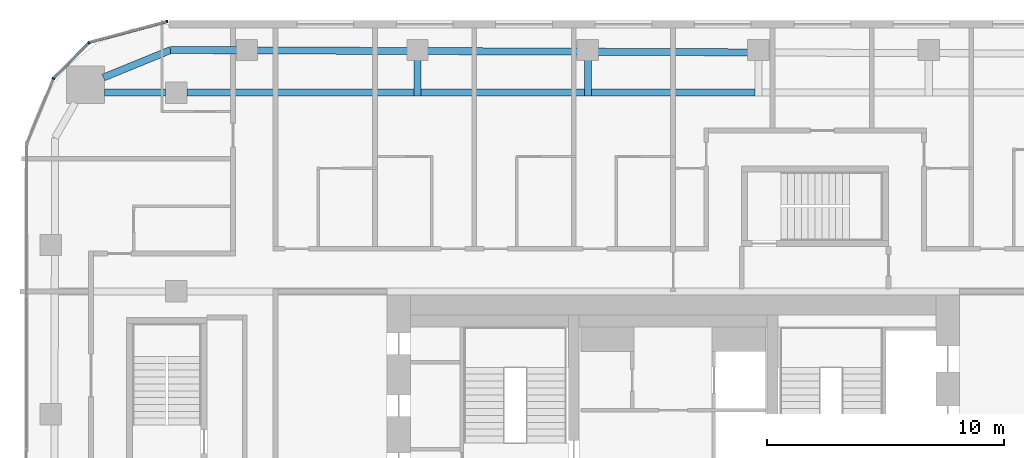
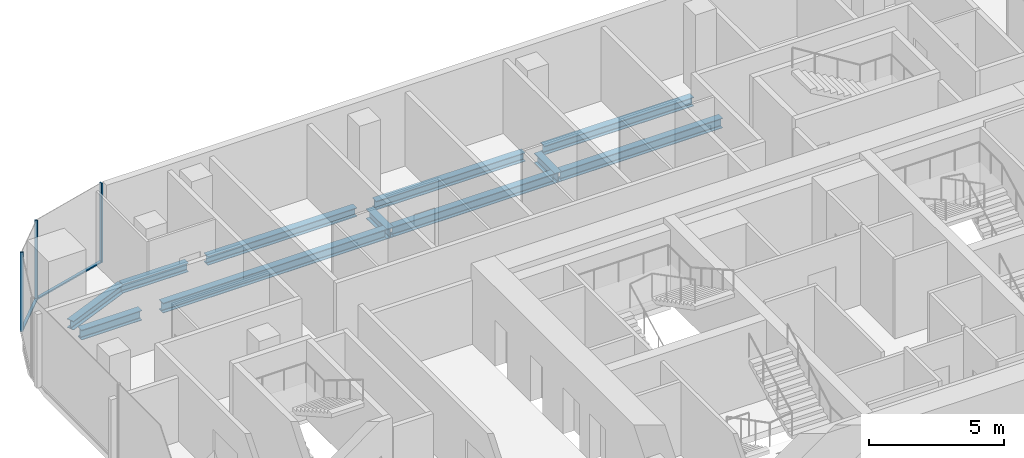
# One storey, part 10 of 23: 11 beams, 5 members, 3 elements without a shape of their own.
"""IFC4 building model written with IfcOpenShell, lengths in metres."""

import ifcopenshell
import ifcopenshell.guid

model = None  # the IFC model being written
_history = None  # IfcOwnerHistory: only IFC2X3 demands one
_inside = {}  # id of a spatial element -> (the spatial element, [elements in it])
_under = {}  # id of a project, library or spatial element -> (it, [spatial elements below it])
_declared = {}  # id of a project -> (the project, [libraries it declares])
_typed = {}  # id of a type object -> (the type object, [elements of that type])
_made_of = {}  # id of a material, layer set ... -> (it, [elements and type objects made of it])


def new_model(schema):
    """Start an empty IFC model of exactly this schema.

    Asked for "IFC4X3", IfcOpenShell would pick the latest addendum, in which some entities
    have other attributes; the version numbers below select the first issue.
    IFC2X3 requires an IfcOwnerHistory on every rooted entity: one is made here for all.
    """
    global model, _history
    if schema == "IFC4X3":
        model = ifcopenshell.file(schema_version=(4, 3, 0, 0))
    else:
        model = ifcopenshell.file(schema=schema)
    _inside.clear()
    _under.clear()
    _declared.clear()
    _typed.clear()
    _made_of.clear()
    _history = None
    if model.schema == "IFC2X3":
        org = make("IfcOrganization", Name="unknown")
        user = make(
            "IfcPersonAndOrganization",
            ThePerson=make("IfcPerson", FamilyName="unknown"),
            TheOrganization=org,
        )
        app = make(
            "IfcApplication",
            ApplicationDeveloper=org,
            Version="unknown",
            ApplicationFullName="unknown",
            ApplicationIdentifier="unknown",
        )
        _history = make(
            "IfcOwnerHistory",
            OwningUser=user,
            OwningApplication=app,
            ChangeAction="ADDED",
            CreationDate=0,
        )
    return model


def make(cls, **values):
    """One entity of the class cls with the attributes given. An attribute that is None is left unset."""
    return model.create_entity(
        cls, **{name: value for name, value in values.items() if value is not None}
    )


def rooted(cls, **values):
    """An entity with a GlobalId (a new one), such as an element, a storey or a relation."""
    return make(cls, GlobalId=ifcopenshell.guid.new(), OwnerHistory=_history, **values)


def si_unit(unit_type, name, prefix=None):
    """IfcSIUnit, for example si_unit("LENGTHUNIT", "METRE", prefix="MILLI")."""
    return make("IfcSIUnit", UnitType=unit_type, Prefix=prefix, Name=name)


def assignment(units):
    """IfcUnitAssignment: the units of a project."""
    return None if units is None else make("IfcUnitAssignment", Units=units)


def point(xyz):
    """IfcCartesianPoint."""
    return None if xyz is None else make("IfcCartesianPoint", Coordinates=xyz)


def direction(xyz):
    """IfcDirection."""
    return None if xyz is None else make("IfcDirection", DirectionRatios=xyz)


def frame(location, z_axis=None, x_axis=None):
    """IfcAxis2Placement3D, a coordinate frame: its origin and axes. An axis left out is left unset."""
    return make(
        "IfcAxis2Placement3D",
        Location=point(location),
        Axis=direction(z_axis),
        RefDirection=direction(x_axis),
    )


def frame_2d(location, x_axis=None):
    """IfcAxis2Placement2D, a coordinate frame in the plane: its origin and x axis."""
    return make(
        "IfcAxis2Placement2D", Location=point(location), RefDirection=direction(x_axis)
    )


def origin():
    """The frame at (0, 0, 0) with its axes left unset."""
    return frame((0.0, 0.0, 0.0))


def origin_2d():
    """The frame at (0, 0) in the plane with its x axis left unset."""
    return frame_2d((0.0, 0.0))


def place(relative_to, where):
    """IfcLocalPlacement: puts the frame where relative to a parent placement (None: the world)."""
    return make(
        "IfcLocalPlacement", PlacementRelTo=relative_to, RelativePlacement=where
    )


def context(
    kind, dimensions, precision=None, world=None, true_north=None, identifier=None
):
    """IfcGeometricRepresentationContext, for example the 3D "Model" context."""
    return make(
        "IfcGeometricRepresentationContext",
        ContextIdentifier=identifier,
        ContextType=kind,
        CoordinateSpaceDimension=dimensions,
        Precision=precision,
        WorldCoordinateSystem=world,
        TrueNorth=true_north,
    )


def subcontext(parent, identifier, kind, view, scale=None):
    """IfcGeometricRepresentationSubContext, for example "Body" below "Model"."""
    return make(
        "IfcGeometricRepresentationSubContext",
        ContextIdentifier=identifier,
        ContextType=kind,
        ParentContext=parent,
        TargetScale=scale,
        TargetView=view,
    )


def project(units=None, contexts=None):
    """IfcProject with its units and contexts."""
    return rooted(
        "IfcProject",
        Name="project",
        RepresentationContexts=contexts,
        UnitsInContext=assignment(units),
    )


def spatial(cls, under=None, at=None, **own):
    """A site, building, storey or space (cls), placed at a placement, below another one or the project."""
    s = rooted(cls, ObjectPlacement=at, **own)
    if under is not None:
        _under.setdefault(under.id(), (under, []))[1].append(s)
    return s


def profile(cls, at=None, kind="AREA", **sizes):
    """A parametric profile (cls). Its sizes go by their IFC names, for example OverallWidth=200.0."""
    return make(cls, ProfileType=kind, Position=at, **sizes)


def rectangle(**sizes):
    """IfcRectangleProfileDef."""
    return profile("IfcRectangleProfileDef", **sizes)


def i_section(**sizes):
    """IfcIShapeProfileDef."""
    return profile("IfcIShapeProfileDef", **sizes)


def extrude(swept, where, along, depth):
    """IfcExtrudedAreaSolid: the profile swept, set in the frame where, extruded along a direction by depth."""
    return make(
        "IfcExtrudedAreaSolid",
        SweptArea=swept,
        Position=where,
        ExtrudedDirection=direction(along),
        Depth=depth,
    )


def shape(context_of_items, identifier, shape_type, items):
    """IfcShapeRepresentation: the items that make up one representation, for example the "Body"."""
    return make(
        "IfcShapeRepresentation",
        ContextOfItems=context_of_items,
        RepresentationIdentifier=identifier,
        RepresentationType=shape_type,
        Items=items,
    )


def material(Name=None, Category=None):
    """IfcMaterial."""
    return make("IfcMaterial", Name=Name, Category=Category)


def layer(
    of_material, thickness, ventilated=None, Name=None, Category=None, Priority=None
):
    """IfcMaterialLayer: one layer of a wall or slab, of a material (None: an air gap)."""
    return make(
        "IfcMaterialLayer",
        Material=of_material,
        LayerThickness=thickness,
        IsVentilated=ventilated,
        Name=Name,
        Category=Category,
        Priority=Priority,
    )


def layer_set(layers, Name=None):
    """IfcMaterialLayerSet."""
    return make("IfcMaterialLayerSet", MaterialLayers=layers, LayerSetName=Name)


def material_profile(
    of_material, cross_section, Name=None, Category=None, Priority=None
):
    """IfcMaterialProfile: a cross section and its material."""
    return make(
        "IfcMaterialProfile",
        Name=Name,
        Material=of_material,
        Profile=cross_section,
        Priority=Priority,
        Category=Category,
    )


def profile_set(profiles, Name=None, composite=None):
    """IfcMaterialProfileSet."""
    return make(
        "IfcMaterialProfileSet",
        Name=Name,
        MaterialProfiles=profiles,
        CompositeProfile=composite,
    )


def made_of(thing, what):
    """Note that an element or type object is made of a material, layer set ...; save() writes the relation."""
    if what is not None:
        _made_of.setdefault(what.id(), (what, []))[1].append(thing)
    return thing


def type_object(cls, material=None, **own):
    """A type object (cls), such as IfcWallType, which elements share."""
    return made_of(rooted(cls, **own), material)


def element(
    cls,
    number,
    at=None,
    inside=None,
    cuts=None,
    type_object=None,
    material=None,
    context=None,
    identifier="Body",
    shape_type=None,
    held_by="IfcProductDefinitionShape",
    body=None,
    shapes=None,
    **own,
):
    """One element of the class cls, such as IfcWall. Its Tag is "e" and its number.

    at: its placement. inside: the storey or other place that contains it. cuts: it is an
    opening in that element (IfcRelVoidsElement). A single representation is given by context,
    identifier, shape_type and body (its items); several are given by shapes. held_by: the class
    of the entity that holds the representations. save() writes the other relations.
    """
    e = rooted(cls, Tag="e%d" % number, ObjectPlacement=at, **own)
    if body is not None:
        shapes = [shape(context, identifier, shape_type, body)]
    if shapes is not None:
        e.Representation = make(held_by, Representations=shapes)
    if inside is not None:
        _inside.setdefault(inside.id(), (inside, []))[1].append(e)
    if cuts is not None:
        rooted(
            "IfcRelVoidsElement", RelatingBuildingElement=cuts, RelatedOpeningElement=e
        )
    if type_object is not None:
        _typed.setdefault(type_object.id(), (type_object, []))[1].append(e)
    return made_of(e, material)


def aggregate(whole, parts):
    """IfcRelAggregates: a whole, such as a stair, and the parts it consists of."""
    return rooted("IfcRelAggregates", RelatingObject=whole, RelatedObjects=parts)


def save(model, path):
    """Write the relations noted so far, then the file.

    IfcRelAggregates (storeys below a building ...), IfcRelContainedInSpatialStructure (elements
    in a storey), IfcRelDefinesByType, IfcRelAssociatesMaterial and IfcRelDeclares: one each for
    every whole, place, type object, material and project.
    """
    for whole, parts in _under.values():
        aggregate(whole, parts)
    for where, things in _inside.values():
        rooted(
            "IfcRelContainedInSpatialStructure",
            RelatedElements=things,
            RelatingStructure=where,
        )
    for kind, things in _typed.values():
        rooted("IfcRelDefinesByType", RelatedObjects=things, RelatingType=kind)
    for what, things in _made_of.values():
        rooted("IfcRelAssociatesMaterial", RelatedObjects=things, RelatingMaterial=what)
    for by, libraries in _declared.values():
        rooted("IfcRelDeclares", RelatingContext=by, RelatedDefinitions=libraries)
    model.write(path)


model = new_model("IFC4")

# Units and contexts
model_context = context("Model", 3, precision=1e-05, world=origin(), true_north=direction((0.0, 1.0)))
body_context = subcontext(model_context, "Body", "Model", "MODEL_VIEW")
ifc_project = project(units=[si_unit("LENGTHUNIT", "METRE"), si_unit("AREAUNIT", "SQUARE_METRE"), si_unit("VOLUMEUNIT", "CUBIC_METRE"), si_unit("PLANEANGLEUNIT", "RADIAN"), si_unit("MASSUNIT", "GRAM", prefix="KILO")], contexts=[model_context])

# Site, building, storey
site_placement = place(None, origin())
site = spatial("IfcSite", under=ifc_project, at=site_placement, CompositionType="ELEMENT")
building_placement = place(site_placement, origin())
building = spatial("IfcBuilding", under=site, at=building_placement, Name="Marenta Gate Hotel Tower", CompositionType="ELEMENT")
storey_placement = place(building_placement, frame((0.0, 0.0, 119.300048828125)))
storey = spatial("IfcBuildingStorey", under=building, at=storey_placement, Name="L26", CompositionType="ELEMENT", Elevation=119.300048828125)

# Beams
ifc_material_1 = material(Name="Steel S355", Category="steel")
ifc_material_profile_1 = material_profile(ifc_material_1, i_section(OverallWidth=0.300048828125, OverallDepth=0.39990234375, WebThickness=0.013427734375, FlangeThickness=0.02392578125, FilletRadius=0.027099609375, at=origin_2d()), Name="HEB 400")
ifc_profile_set_1 = profile_set([ifc_material_profile_1], Name="Steel S355")
beam_type_1 = type_object("IfcBeamType", Name="Edge beam HEB 400", PredefinedType="SPANDREL", material=ifc_profile_set_1)
beam_1_placement = place(storey_placement, frame((-24.072509765625, 25.839111328125, -0.4599609375), z_axis=(0.925565978946, 0.378586342356, 0.0), x_axis=(-0.378586342356, 0.925565978946, 0.0)))
element("IfcBeam", 1, at=beam_1_placement, inside=storey, type_object=beam_type_1, Name="L26-EB-12", PredefinedType="SPANDREL", context=body_context, shape_type="SweptSolid", body=[
    extrude(i_section(OverallWidth=0.300048828125, OverallDepth=0.39990234375, WebThickness=0.013427734375, FlangeThickness=0.02392578125, FilletRadius=0.027099609375, at=origin_2d()), origin(), (0.0, 0.0, 1.0), 3.06640625),
])
beam_2_placement = place(storey_placement, frame((-21.234375, 27.0, -0.4599609375), z_axis=(0.999991706293, -0.004072756516, 0.0), x_axis=(0.004072756516, 0.999991706293, 0.0)))
element("IfcBeam", 2, at=beam_2_placement, inside=storey, type_object=beam_type_1, Name="L26-EB-13", PredefinedType="SPANDREL", context=body_context, shape_type="SweptSolid", body=[
    extrude(i_section(OverallWidth=0.300048828125, OverallDepth=0.39990234375, WebThickness=0.013427734375, FlangeThickness=0.02392578125, FilletRadius=0.027099609375, at=origin_2d()), origin(), (0.0, 0.0, 1.0), 2.8173828125),
])
beam_3_placement = place(storey_placement, frame((-17.596923828125, 26.985107421875, -0.4599609375), z_axis=(0.999991780748, -0.00405443424, 0.0), x_axis=(0.00405443424, 0.999991780748, 0.0)))
element("IfcBeam", 3, at=beam_3_placement, inside=storey, type_object=beam_type_1, Name="L26-EB-14", PredefinedType="SPANDREL", context=body_context, shape_type="SweptSolid", body=[
    extrude(i_section(OverallWidth=0.300048828125, OverallDepth=0.39990234375, WebThickness=0.013427734375, FlangeThickness=0.02392578125, FilletRadius=0.027099609375, at=origin_2d()), origin(), (0.0, 0.0, 1.0), 6.3828125),
])
beam_4_placement = place(storey_placement, frame((-10.39404296875, 26.955810546875, -0.4599609375), z_axis=(0.999991624297, -0.004092839529, 0.0), x_axis=(0.004092839529, 0.999991624297, 0.0)))
element("IfcBeam", 4, at=beam_4_placement, inside=storey, type_object=beam_type_1, Name="L26-EB-15", PredefinedType="SPANDREL", context=body_context, shape_type="SweptSolid", body=[
    extrude(i_section(OverallWidth=0.300048828125, OverallDepth=0.39990234375, WebThickness=0.013427734375, FlangeThickness=0.02392578125, FilletRadius=0.027099609375, at=origin_2d()), origin(), (0.0, 0.0, 1.0), 6.382568359375),
])
beam_5_placement = place(storey_placement, frame((-3.19140625, 26.926513671875, -0.4599609375), z_axis=(0.999991624938, -0.004092682982, 0.0), x_axis=(0.004092682982, 0.999991624938, 0.0)))
element("IfcBeam", 5, at=beam_5_placement, inside=storey, type_object=beam_type_1, Name="L26-EB-16", PredefinedType="SPANDREL", context=body_context, shape_type="SweptSolid", body=[
    extrude(i_section(OverallWidth=0.300048828125, OverallDepth=0.39990234375, WebThickness=0.013427734375, FlangeThickness=0.02392578125, FilletRadius=0.027099609375, at=origin_2d()), origin(), (0.0, 0.0, 1.0), 6.3828125),
])
ifc_material_2 = material(Name="Steel S355", Category="steel")
ifc_material_profile_2 = material_profile(ifc_material_2, i_section(OverallWidth=0.300048828125, OverallDepth=0.449951171875, WebThickness=0.013916015625, FlangeThickness=0.02587890625, FilletRadius=0.027099609375, at=origin_2d()), Name="HEB 450")
ifc_profile_set_2 = profile_set([ifc_material_profile_2], Name="Steel S355")
beam_type_2 = type_object("IfcBeamType", Name="Girder HEB 450", PredefinedType="BEAM", material=ifc_profile_set_2)
beam_6_placement = place(storey_placement, frame((-24.035400390625, 25.199951171875, -0.485107421875), z_axis=(1.0, 0.0, 0.0), x_axis=(0.0, 1.0, 0.0)))
element("IfcBeam", 6, at=beam_6_placement, inside=storey, type_object=beam_type_2, Name="L26-GD-29", PredefinedType="BEAM", context=body_context, shape_type="SweptSolid", body=[
    extrude(i_section(OverallWidth=0.300048828125, OverallDepth=0.449951171875, WebThickness=0.013916015625, FlangeThickness=0.02587890625, FilletRadius=0.027099609375, at=origin_2d()), origin(), (0.0, 0.0, 1.0), 2.58544921875),
])
beam_7_placement = place(storey_placement, frame((-20.550048828125, 25.199951171875, -0.485107421875), z_axis=(1.0, 0.0, 0.0), x_axis=(0.0, 1.0, 0.0)))
element("IfcBeam", 7, at=beam_7_placement, inside=storey, type_object=beam_type_2, Name="L26-GD-30", PredefinedType="BEAM", context=body_context, shape_type="SweptSolid", body=[
    extrude(i_section(OverallWidth=0.300048828125, OverallDepth=0.449951171875, WebThickness=0.013916015625, FlangeThickness=0.02587890625, FilletRadius=0.027099609375, at=origin_2d()), origin(), (0.0, 0.0, 1.0), 9.595947265625),
])
beam_8_placement = place(storey_placement, frame((-10.654052734375, 25.199951171875, -0.485107421875), z_axis=(1.0, 0.0, 0.0), x_axis=(0.0, 1.0, 0.0)))
element("IfcBeam", 8, at=beam_8_placement, inside=storey, type_object=beam_type_2, Name="L26-GD-31", PredefinedType="BEAM", context=body_context, shape_type="SweptSolid", body=[
    extrude(i_section(OverallWidth=0.300048828125, OverallDepth=0.449951171875, WebThickness=0.013916015625, FlangeThickness=0.02587890625, FilletRadius=0.027099609375, at=origin_2d()), origin(), (0.0, 0.0, 1.0), 6.902587890625),
])
beam_9_placement = place(storey_placement, frame((-3.451416015625, 25.199951171875, -0.485107421875), z_axis=(1.0, 0.0, 0.0), x_axis=(0.0, 1.0, 0.0)))
element("IfcBeam", 9, at=beam_9_placement, inside=storey, type_object=beam_type_2, Name="L26-GD-32", PredefinedType="BEAM", context=body_context, shape_type="SweptSolid", body=[
    extrude(i_section(OverallWidth=0.300048828125, OverallDepth=0.449951171875, WebThickness=0.013916015625, FlangeThickness=0.02587890625, FilletRadius=0.027099609375, at=origin_2d()), origin(), (0.0, 0.0, 1.0), 6.90283203125),
])
ifc_material_3 = material(Name="Steel S355", Category="steel")
ifc_material_profile_3 = material_profile(ifc_material_3, i_section(OverallWidth=0.300048828125, OverallDepth=0.449951171875, WebThickness=0.013916015625, FlangeThickness=0.02587890625, FilletRadius=0.027099609375, at=origin_2d()), Name="HEB 450")
ifc_profile_set_3 = profile_set([ifc_material_profile_3], Name="Steel S355")
beam_type_3 = type_object("IfcBeamType", Name="Girder bracket HEB 450", PredefinedType="BEAM", material=ifc_profile_set_3)
for number, where, z_axis, x_axis, name in (
    (10, (-10.80419921875, 25.050048828125, -0.485107421875), (0.0, 1.0, 0.0), (-1.0, 0.0, 0.0), "L26-GS-1"),
    (11, (-3.601318359375, 25.050048828125, -0.485107421875), (0.0, 1.0, 0.0), (-1.0, 0.0, 0.0), "L26-GS-2"),
):
    element("IfcBeam", number, at=place(storey_placement, frame(where, z_axis=z_axis, x_axis=x_axis)), inside=storey, type_object=beam_type_3, Name=name, PredefinedType="BEAM", context=body_context, shape_type="SweptSolid", body=[
        extrude(i_section(OverallWidth=0.300048828125, OverallDepth=0.449951171875, WebThickness=0.013916015625, FlangeThickness=0.02587890625, FilletRadius=0.027099609375, at=origin_2d()), origin(), (0.0, 0.0, 1.0), 1.5400390625),
    ])

# Curtain wall, member
ifc_material_4 = material(Name="Tinted insulated glass in bronze anodised frame", Category="glass")
ifc_layer = layer(ifc_material_4, 0.1201171875)
ifc_layer_set = layer_set([ifc_layer], Name="Tinted insulated glass in bronze anodised frame")
curtain_wall_type = type_object("IfcCurtainWallType", Name="Tower unitised curtain wall CW1", PredefinedType="NOTDEFINED", material=ifc_layer_set)
curtain_wall_1_placement = place(storey_placement, origin())
curtain_wall_1 = element("IfcCurtainWall", 12, at=curtain_wall_1_placement, inside=storey, type_object=curtain_wall_type, Name="CW1 run G00", PredefinedType="NOTDEFINED")
ifc_material_5 = material(Name="Bronze anodised aluminium", Category="aluminium")
ifc_material_profile_4 = material_profile(ifc_material_5, rectangle(XDim=0.1201171875, YDim=0.06005859375, at=origin_2d()), Name="Mullion CW1 60x120 bronze anodised aluminium")
ifc_profile_set_4 = profile_set([ifc_material_profile_4], Name="Bronze anodised aluminium")
member_type_1 = type_object("IfcMemberType", Name="Mullion CW1 60x120 bronze anodised aluminium", PredefinedType="MULLION", material=ifc_profile_set_4)
member_1_placement = place(storey_placement, frame((-21.385498046875, 28.203125, 0.0), z_axis=(0.0, 0.0, 1.0), x_axis=(0.258801234873, -0.96593059835, 0.0)))
member_1 = element("IfcMember", 13, at=member_1_placement, type_object=member_type_1, Name="CW1 mullion 1", PredefinedType="MULLION", context=body_context, shape_type="SweptSolid", body=[
    extrude(rectangle(XDim=0.1201171875, YDim=0.06005859375, at=origin_2d()), origin(), (0.0, 0.0, 1.0), 3.599853515625),
])

curtain_wall_2_placement = place(storey_placement, origin())
curtain_wall_2 = element("IfcCurtainWall", 14, at=curtain_wall_2_placement, inside=storey, type_object=curtain_wall_type, Name="CW1 run G01", PredefinedType="NOTDEFINED")
member_2_placement = place(storey_placement, frame((-24.68798828125, 27.302978515625, 0.0), z_axis=(0.0, 0.0, 1.0), x_axis=(0.707106781187, -0.707106781187, 0.0)))
member_2 = element("IfcMember", 15, at=member_2_placement, type_object=member_type_1, Name="CW1 mullion 1", PredefinedType="MULLION", context=body_context, shape_type="SweptSolid", body=[
    extrude(rectangle(XDim=0.1201171875, YDim=0.06005859375, at=origin_2d()), origin(), (0.0, 0.0, 1.0), 3.599853515625),
])

curtain_wall_3_placement = place(storey_placement, origin())
curtain_wall_3 = element("IfcCurtainWall", 16, at=curtain_wall_3_placement, inside=storey, type_object=curtain_wall_type, Name="CW1 run G02", PredefinedType="NOTDEFINED")
member_3_placement = place(storey_placement, frame((-26.183837890625, 25.790771484375, 0.0), z_axis=(0.0, 0.0, 1.0), x_axis=(0.923884278178, -0.382671975111, 0.0)))
member_3 = element("IfcMember", 17, at=member_3_placement, type_object=member_type_1, Name="CW1 mullion 1", PredefinedType="MULLION", context=body_context, shape_type="SweptSolid", body=[
    extrude(rectangle(XDim=0.1201171875, YDim=0.06005859375, at=origin_2d()), origin(), (0.0, 0.0, 1.0), 3.599853515625),
])
aggregate(curtain_wall_3, [member_3])

# Member
ifc_material_6 = material(Name="Bronze anodised aluminium", Category="aluminium")
ifc_material_profile_5 = material_profile(ifc_material_6, rectangle(XDim=0.1201171875, YDim=0.06005859375, at=origin_2d()), Name="Transom CW1 60x120 bronze anodised aluminium")
ifc_profile_set_5 = profile_set([ifc_material_profile_5], Name="Bronze anodised aluminium")
member_type_2 = type_object("IfcMemberType", Name="Transom CW1 60x120 bronze anodised aluminium", PredefinedType="USERDEFINED", material=ifc_profile_set_5)
member_4_placement = place(storey_placement, frame((-21.41455078125, 28.195556640625, 0.030029296875), z_axis=(-0.965932192411, -0.258795285243, 0.0), x_axis=(0.258795285243, -0.965932192411, 0.0)))
member_4 = element("IfcMember", 18, at=member_4_placement, type_object=member_type_2, Name="CW1 transom 1.1", ObjectType="TRANSOM", PredefinedType="USERDEFINED", context=body_context, shape_type="SweptSolid", body=[
    extrude(rectangle(XDim=0.1201171875, YDim=0.06005859375, at=origin_2d()), origin(), (0.0, 0.0, 1.0), 3.366943359375),
])

aggregate(curtain_wall_1, [member_1, member_4])

member_5_placement = place(storey_placement, frame((-24.709228515625, 27.28173828125, 0.030029296875), z_axis=(-0.707106781187, -0.707106781187, 0.0), x_axis=(0.707106781187, -0.707106781187, 0.0)))
member_5 = element("IfcMember", 19, at=member_5_placement, type_object=member_type_2, Name="CW1 transom 1.1", ObjectType="TRANSOM", PredefinedType="USERDEFINED", context=body_context, shape_type="SweptSolid", body=[
    extrude(rectangle(XDim=0.1201171875, YDim=0.06005859375, at=origin_2d()), origin(), (0.0, 0.0, 1.0), 2.069091796875),
])

aggregate(curtain_wall_2, [member_2, member_5])

save(model, "model.ifc")
